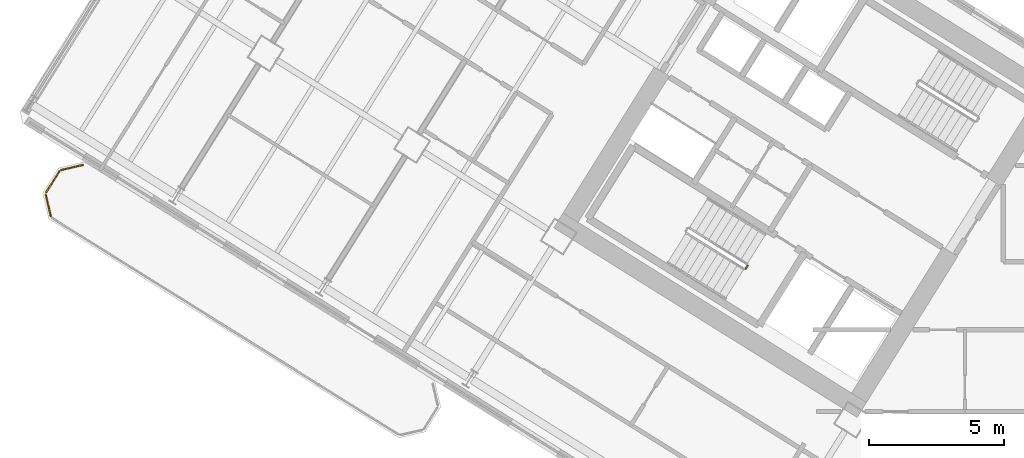
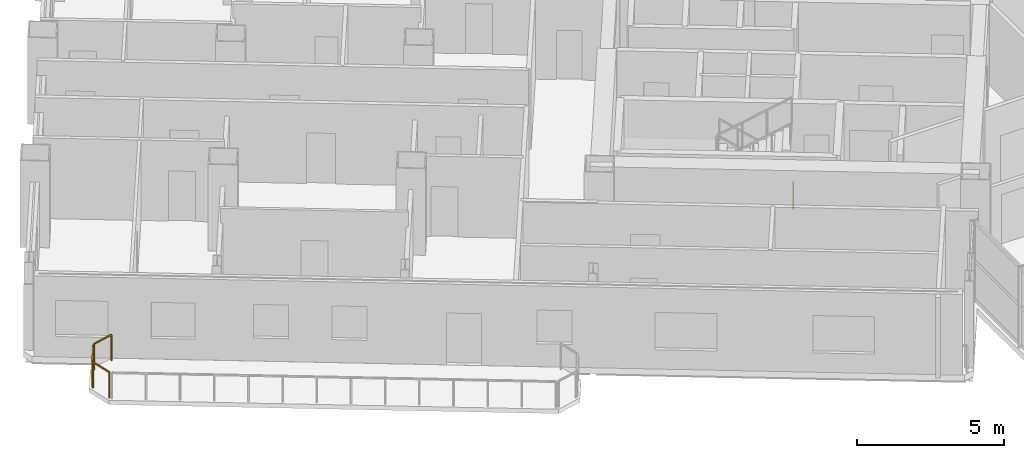
# One storey, part 22 of 28: 4 railings.
"""IFC4 building model written with IfcOpenShell, lengths in metres."""

from ifc_helpers import new_model, si_unit, direction, frame, origin, origin_2d, place, context, subcontext, project, spatial, rectangle, extrude, source, transform, mapped, material, type_object, element, save


model = new_model("IFC4")

# Units and contexts
model_context = context("Model", 3, precision=1e-05, world=origin(), true_north=direction((0.0, 1.0)))
body_context = subcontext(model_context, "Body", "Model", "MODEL_VIEW")
ifc_project = project(units=[si_unit("LENGTHUNIT", "METRE"), si_unit("AREAUNIT", "SQUARE_METRE"), si_unit("VOLUMEUNIT", "CUBIC_METRE"), si_unit("PLANEANGLEUNIT", "RADIAN"), si_unit("MASSUNIT", "GRAM", prefix="KILO")], contexts=[model_context])

# Site, building, storey
site_placement = place(None, origin())
site = spatial("IfcSite", under=ifc_project, at=site_placement, CompositionType="ELEMENT")
building_placement = place(site_placement, origin())
building = spatial("IfcBuilding", under=site, at=building_placement, Name="Tlacorven Tower", CompositionType="ELEMENT")
storey_placement = place(building_placement, frame((0.0, 0.0, 49.199951171875)))
storey = spatial("IfcBuildingStorey", under=building, at=storey_placement, Name="L12", CompositionType="ELEMENT", Elevation=49.199951171875)

# Railings
ifc_material = material(Name="Aluminium and painted steel balustrade", Category="steel")
railing_type_1 = type_object("IfcRailingType", Name="RL-BAL-1100", PredefinedType="BALUSTRADE", material=ifc_material)
shared_shape_1 = source(origin(), body_context, "Body", "SweptSolid", [
    extrude(rectangle(XDim=0.048095703125, YDim=0.048095703125, at=origin_2d()), frame((0.0, 0.0, 1.076171875), z_axis=(-0.225058334816, 0.974345290916, 0.0), x_axis=(-0.974345290916, -0.225058334816, 0.0)), (0.0, 0.0, 1.0), 0.80712890625),
    extrude(rectangle(XDim=0.0419921875, YDim=0.0419921875, at=origin_2d()), origin(), (0.0, 0.0, 1.0), 1.052001953125),
    extrude(rectangle(XDim=0.0419921875, YDim=0.0419921875, at=origin_2d()), frame((-0.181640625, 0.786376953125, 0.0)), (0.0, 0.0, 1.0), 1.052001953125),
])
railing_1_placement = place(storey_placement, frame((3.380859375, 19.62841796875, 0.0)))
element("IfcRailing", 1, at=railing_1_placement, inside=storey, type_object=railing_type_1, Name="BAL-L12-W-OUT Guard Railing 5", PredefinedType="BALUSTRADE", context=body_context, shape_type="MappedRepresentation", body=[
    mapped(shared_shape_1, transform((0.0, 0.0, 0.0), scale=1.0)),
])
shared_shape_2 = source(origin(), body_context, "Body", "SweptSolid", [
    extrude(rectangle(XDim=0.048095703125, YDim=0.048095703125, at=origin_2d()), frame((0.0, 0.0, 1.076171875), z_axis=(0.52987865805, 0.848073468364, 0.0), x_axis=(-0.848073468364, 0.52987865805, 0.0)), (0.0, 0.0, 1.0), 0.912353515625),
    extrude(rectangle(XDim=0.0419921875, YDim=0.0419921875, at=origin_2d()), origin(), (0.0, 0.0, 1.0), 1.052001953125),
    extrude(rectangle(XDim=0.0419921875, YDim=0.0419921875, at=origin_2d()), frame((0.4833984375, 0.773681640625, 0.0)), (0.0, 0.0, 1.0), 1.052001953125),
])
railing_2_placement = place(storey_placement, frame((3.214599609375, 20.505859375, 0.0)))
element("IfcRailing", 2, at=railing_2_placement, inside=storey, type_object=railing_type_1, Name="BAL-L12-W-OUT Guard Railing 6", PredefinedType="BALUSTRADE", context=body_context, shape_type="MappedRepresentation", body=[
    mapped(shared_shape_2, transform((0.0, 0.0, 0.0), scale=1.0)),
])
shared_shape_3 = source(origin(), body_context, "Body", "SweptSolid", [
    extrude(rectangle(XDim=0.048095703125, YDim=0.048095703125, at=origin_2d()), frame((0.0, 0.0, 1.076171875), z_axis=(0.974345290916, 0.225058334816, 0.0), x_axis=(-0.225058334816, 0.974345290916, 0.0)), (0.0, 0.0, 1.0), 0.80712890625),
    extrude(rectangle(XDim=0.0419921875, YDim=0.0419921875, at=origin_2d()), origin(), (0.0, 0.0, 1.0), 1.052001953125),
    extrude(rectangle(XDim=0.0419921875, YDim=0.0419921875, at=origin_2d()), frame((0.786376953125, 0.181640625, 0.0)), (0.0, 0.0, 1.0), 1.052001953125),
])
railing_3_placement = place(storey_placement, frame((3.773193359375, 21.3330078125, 0.0)))
element("IfcRailing", 3, at=railing_3_placement, inside=storey, type_object=railing_type_1, Name="BAL-L12-W-OUT Guard Railing 7", PredefinedType="BALUSTRADE", context=body_context, shape_type="MappedRepresentation", body=[
    mapped(shared_shape_3, transform((0.0, 0.0, 0.0), scale=1.0)),
])
railing_type_2 = type_object("IfcRailingType", Name="RL-GRD-1100", PredefinedType="GUARDRAIL", material=ifc_material)
shared_shape_4 = source(origin(), body_context, "Body", "SweptSolid", [
    extrude(rectangle(XDim=0.048095703125, YDim=0.048095703125, at=origin_2d()), frame((0.0, 0.0, 1.076171875), z_axis=(-0.529084052582, -0.848569422795, 0.0), x_axis=(0.848569422795, -0.529084052582, 0.0)), (0.0, 0.0, 1.0), 0.119873046875),
    extrude(rectangle(XDim=0.0419921875, YDim=0.0419921875, at=origin_2d()), origin(), (0.0, 0.0, 1.0), 1.052001953125),
    extrude(rectangle(XDim=0.0419921875, YDim=0.0419921875, at=origin_2d()), frame((-0.0634765625, -0.101806640625, 0.0)), (0.0, 0.0, 1.0), 1.052001953125),
])
railing_4_placement = place(storey_placement, frame((29.176513671875, 17.782958984375, 0.0)))
element("IfcRailing", 4, at=railing_4_placement, inside=storey, type_object=railing_type_2, Name="L12 ST-W1 stair guard 4", PredefinedType="GUARDRAIL", context=body_context, shape_type="MappedRepresentation", body=[
    mapped(shared_shape_4, transform((0.0, 0.0, 0.0), scale=1.0)),
])

save(model, "model.ifc")
